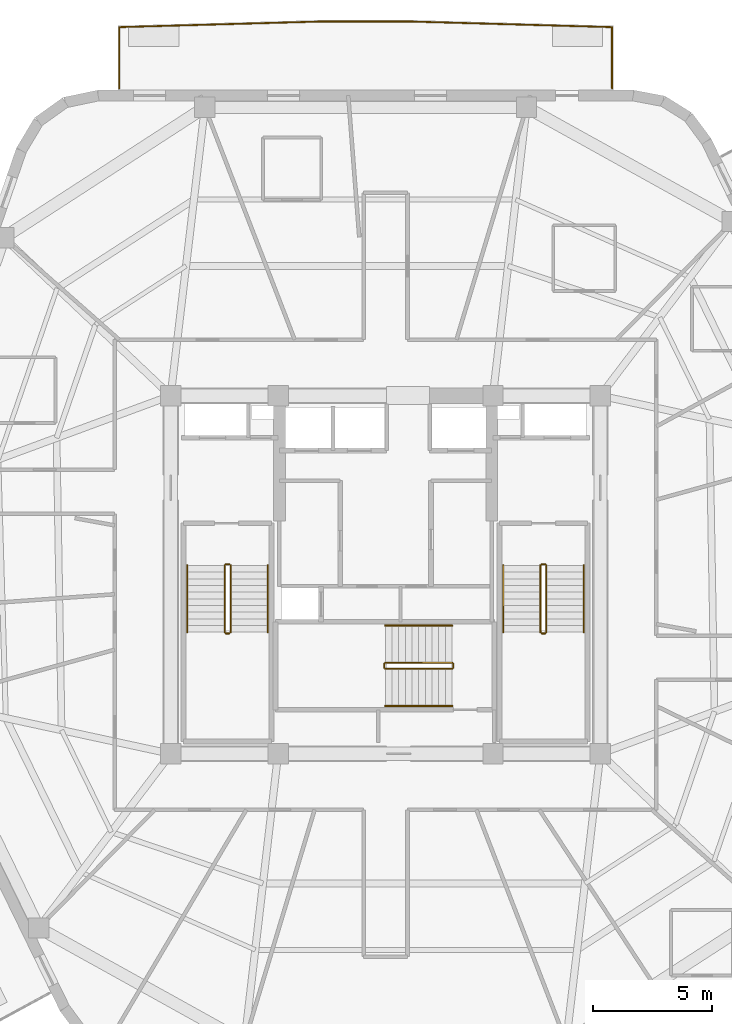
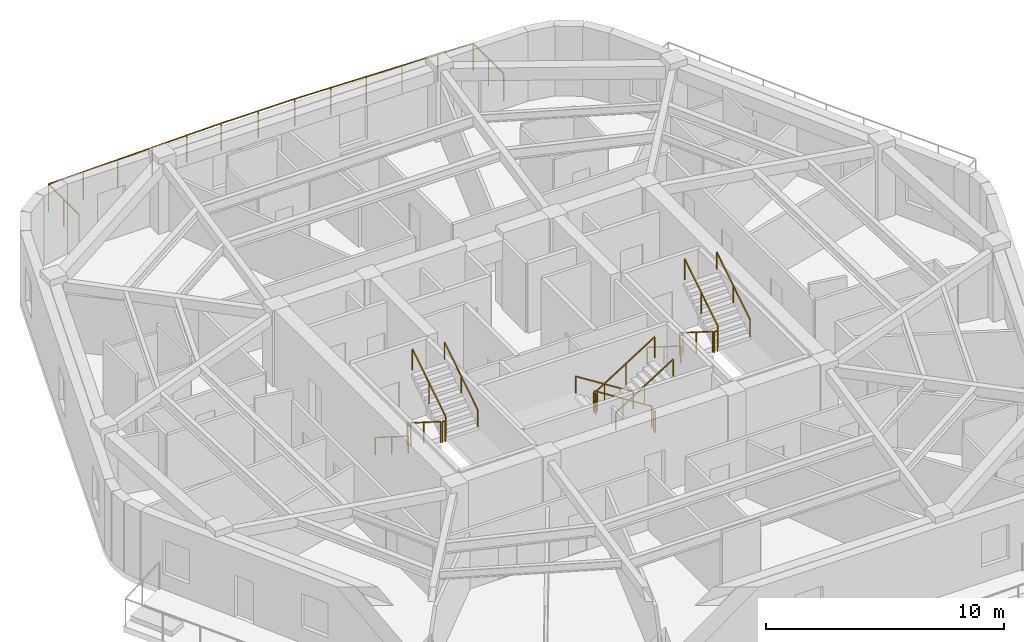
# One storey, part 8 of 9: 19 railings.
"""IFC4 building model written with IfcOpenShell, lengths in metres."""

import ifcopenshell
import ifcopenshell.guid

model = None  # the IFC model being written
_history = None  # IfcOwnerHistory: only IFC2X3 demands one
_inside = {}  # id of a spatial element -> (the spatial element, [elements in it])
_under = {}  # id of a project, library or spatial element -> (it, [spatial elements below it])
_declared = {}  # id of a project -> (the project, [libraries it declares])
_typed = {}  # id of a type object -> (the type object, [elements of that type])
_made_of = {}  # id of a material, layer set ... -> (it, [elements and type objects made of it])


def new_model(schema):
    """Start an empty IFC model of exactly this schema.

    Asked for "IFC4X3", IfcOpenShell would pick the latest addendum, in which some entities
    have other attributes; the version numbers below select the first issue.
    IFC2X3 requires an IfcOwnerHistory on every rooted entity: one is made here for all.
    """
    global model, _history
    if schema == "IFC4X3":
        model = ifcopenshell.file(schema_version=(4, 3, 0, 0))
    else:
        model = ifcopenshell.file(schema=schema)
    _inside.clear()
    _under.clear()
    _declared.clear()
    _typed.clear()
    _made_of.clear()
    _history = None
    if model.schema == "IFC2X3":
        org = make("IfcOrganization", Name="unknown")
        user = make(
            "IfcPersonAndOrganization",
            ThePerson=make("IfcPerson", FamilyName="unknown"),
            TheOrganization=org,
        )
        app = make(
            "IfcApplication",
            ApplicationDeveloper=org,
            Version="unknown",
            ApplicationFullName="unknown",
            ApplicationIdentifier="unknown",
        )
        _history = make(
            "IfcOwnerHistory",
            OwningUser=user,
            OwningApplication=app,
            ChangeAction="ADDED",
            CreationDate=0,
        )
    return model


def make(cls, **values):
    """One entity of the class cls with the attributes given. An attribute that is None is left unset."""
    return model.create_entity(
        cls, **{name: value for name, value in values.items() if value is not None}
    )


def rooted(cls, **values):
    """An entity with a GlobalId (a new one), such as an element, a storey or a relation."""
    return make(cls, GlobalId=ifcopenshell.guid.new(), OwnerHistory=_history, **values)


def si_unit(unit_type, name, prefix=None):
    """IfcSIUnit, for example si_unit("LENGTHUNIT", "METRE", prefix="MILLI")."""
    return make("IfcSIUnit", UnitType=unit_type, Prefix=prefix, Name=name)


def assignment(units):
    """IfcUnitAssignment: the units of a project."""
    return None if units is None else make("IfcUnitAssignment", Units=units)


def point(xyz):
    """IfcCartesianPoint."""
    return None if xyz is None else make("IfcCartesianPoint", Coordinates=xyz)


def direction(xyz):
    """IfcDirection."""
    return None if xyz is None else make("IfcDirection", DirectionRatios=xyz)


def frame(location, z_axis=None, x_axis=None):
    """IfcAxis2Placement3D, a coordinate frame: its origin and axes. An axis left out is left unset."""
    return make(
        "IfcAxis2Placement3D",
        Location=point(location),
        Axis=direction(z_axis),
        RefDirection=direction(x_axis),
    )


def frame_2d(location, x_axis=None):
    """IfcAxis2Placement2D, a coordinate frame in the plane: its origin and x axis."""
    return make(
        "IfcAxis2Placement2D", Location=point(location), RefDirection=direction(x_axis)
    )


def origin():
    """The frame at (0, 0, 0) with its axes left unset."""
    return frame((0.0, 0.0, 0.0))


def origin_2d():
    """The frame at (0, 0) in the plane with its x axis left unset."""
    return frame_2d((0.0, 0.0))


def place(relative_to, where):
    """IfcLocalPlacement: puts the frame where relative to a parent placement (None: the world)."""
    return make(
        "IfcLocalPlacement", PlacementRelTo=relative_to, RelativePlacement=where
    )


def context(
    kind, dimensions, precision=None, world=None, true_north=None, identifier=None
):
    """IfcGeometricRepresentationContext, for example the 3D "Model" context."""
    return make(
        "IfcGeometricRepresentationContext",
        ContextIdentifier=identifier,
        ContextType=kind,
        CoordinateSpaceDimension=dimensions,
        Precision=precision,
        WorldCoordinateSystem=world,
        TrueNorth=true_north,
    )


def subcontext(parent, identifier, kind, view, scale=None):
    """IfcGeometricRepresentationSubContext, for example "Body" below "Model"."""
    return make(
        "IfcGeometricRepresentationSubContext",
        ContextIdentifier=identifier,
        ContextType=kind,
        ParentContext=parent,
        TargetScale=scale,
        TargetView=view,
    )


def project(units=None, contexts=None):
    """IfcProject with its units and contexts."""
    return rooted(
        "IfcProject",
        Name="project",
        RepresentationContexts=contexts,
        UnitsInContext=assignment(units),
    )


def spatial(cls, under=None, at=None, **own):
    """A site, building, storey or space (cls), placed at a placement, below another one or the project."""
    s = rooted(cls, ObjectPlacement=at, **own)
    if under is not None:
        _under.setdefault(under.id(), (under, []))[1].append(s)
    return s


def profile(cls, at=None, kind="AREA", **sizes):
    """A parametric profile (cls). Its sizes go by their IFC names, for example OverallWidth=200.0."""
    return make(cls, ProfileType=kind, Position=at, **sizes)


def rectangle(**sizes):
    """IfcRectangleProfileDef."""
    return profile("IfcRectangleProfileDef", **sizes)


def extrude(swept, where, along, depth):
    """IfcExtrudedAreaSolid: the profile swept, set in the frame where, extruded along a direction by depth."""
    return make(
        "IfcExtrudedAreaSolid",
        SweptArea=swept,
        Position=where,
        ExtrudedDirection=direction(along),
        Depth=depth,
    )


def shape(context_of_items, identifier, shape_type, items):
    """IfcShapeRepresentation: the items that make up one representation, for example the "Body"."""
    return make(
        "IfcShapeRepresentation",
        ContextOfItems=context_of_items,
        RepresentationIdentifier=identifier,
        RepresentationType=shape_type,
        Items=items,
    )


def material(Name=None, Category=None):
    """IfcMaterial."""
    return make("IfcMaterial", Name=Name, Category=Category)


def layer(
    of_material, thickness, ventilated=None, Name=None, Category=None, Priority=None
):
    """IfcMaterialLayer: one layer of a wall or slab, of a material (None: an air gap)."""
    return make(
        "IfcMaterialLayer",
        Material=of_material,
        LayerThickness=thickness,
        IsVentilated=ventilated,
        Name=Name,
        Category=Category,
        Priority=Priority,
    )


def layer_set(layers, Name=None):
    """IfcMaterialLayerSet."""
    return make("IfcMaterialLayerSet", MaterialLayers=layers, LayerSetName=Name)


def made_of(thing, what):
    """Note that an element or type object is made of a material, layer set ...; save() writes the relation."""
    if what is not None:
        _made_of.setdefault(what.id(), (what, []))[1].append(thing)
    return thing


def type_object(cls, material=None, **own):
    """A type object (cls), such as IfcWallType, which elements share."""
    return made_of(rooted(cls, **own), material)


def element(
    cls,
    number,
    at=None,
    inside=None,
    cuts=None,
    type_object=None,
    material=None,
    context=None,
    identifier="Body",
    shape_type=None,
    held_by="IfcProductDefinitionShape",
    body=None,
    shapes=None,
    **own,
):
    """One element of the class cls, such as IfcWall. Its Tag is "e" and its number.

    at: its placement. inside: the storey or other place that contains it. cuts: it is an
    opening in that element (IfcRelVoidsElement). A single representation is given by context,
    identifier, shape_type and body (its items); several are given by shapes. held_by: the class
    of the entity that holds the representations. save() writes the other relations.
    """
    e = rooted(cls, Tag="e%d" % number, ObjectPlacement=at, **own)
    if body is not None:
        shapes = [shape(context, identifier, shape_type, body)]
    if shapes is not None:
        e.Representation = make(held_by, Representations=shapes)
    if inside is not None:
        _inside.setdefault(inside.id(), (inside, []))[1].append(e)
    if cuts is not None:
        rooted(
            "IfcRelVoidsElement", RelatingBuildingElement=cuts, RelatedOpeningElement=e
        )
    if type_object is not None:
        _typed.setdefault(type_object.id(), (type_object, []))[1].append(e)
    return made_of(e, material)


def aggregate(whole, parts):
    """IfcRelAggregates: a whole, such as a stair, and the parts it consists of."""
    return rooted("IfcRelAggregates", RelatingObject=whole, RelatedObjects=parts)


def save(model, path):
    """Write the relations noted so far, then the file.

    IfcRelAggregates (storeys below a building ...), IfcRelContainedInSpatialStructure (elements
    in a storey), IfcRelDefinesByType, IfcRelAssociatesMaterial and IfcRelDeclares: one each for
    every whole, place, type object, material and project.
    """
    for whole, parts in _under.values():
        aggregate(whole, parts)
    for where, things in _inside.values():
        rooted(
            "IfcRelContainedInSpatialStructure",
            RelatedElements=things,
            RelatingStructure=where,
        )
    for kind, things in _typed.values():
        rooted("IfcRelDefinesByType", RelatedObjects=things, RelatingType=kind)
    for what, things in _made_of.values():
        rooted("IfcRelAssociatesMaterial", RelatedObjects=things, RelatingMaterial=what)
    for by, libraries in _declared.values():
        rooted("IfcRelDeclares", RelatingContext=by, RelatedDefinitions=libraries)
    model.write(path)


model = new_model("IFC4")

# Units and contexts
model_context = context("Model", 3, precision=1e-05, world=origin(), true_north=direction((0.0, 1.0)))
body_context = subcontext(model_context, "Body", "Model", "MODEL_VIEW")
ifc_project = project(units=[si_unit("LENGTHUNIT", "METRE"), si_unit("AREAUNIT", "SQUARE_METRE"), si_unit("VOLUMEUNIT", "CUBIC_METRE"), si_unit("PLANEANGLEUNIT", "RADIAN"), si_unit("MASSUNIT", "GRAM", prefix="KILO")], contexts=[model_context])

# Site, building, storey
site_placement = place(None, origin())
site = spatial("IfcSite", under=ifc_project, at=site_placement, CompositionType="ELEMENT")
building_placement = place(site_placement, origin())
building = spatial("IfcBuilding", under=site, at=building_placement, Name="Kilnhurst Terrace Hotel", CompositionType="ELEMENT")
storey_placement = place(building_placement, frame((0.0, 0.0, 284.699951171875)))
storey = spatial("IfcBuildingStorey", under=building, at=storey_placement, Name="L71", CompositionType="ELEMENT", Elevation=284.699951171875)

# Railings
ifc_material_1 = material(Name="Laminated SentryGlas and Stainless Steel AISI 316L Balustrade", Category="steel")
ifc_layer_1 = layer(ifc_material_1, 0.070068359375, Name="Laminated SentryGlas and Stainless Steel AISI 316L Balustrade")
ifc_layer_set_1 = layer_set([ifc_layer_1], Name="Laminated SentryGlas and Stainless Steel AISI 316L Balustrade")
railing_type_1 = type_object("IfcRailingType", Name="RLG-BAL-1420", PredefinedType="BALUSTRADE", material=ifc_layer_set_1)
railing_1_placement = place(storey_placement, frame((-11.151611328125, 20.3798828125, 0.0)))
element("IfcRailing", 1, at=railing_1_placement, inside=storey, type_object=railing_type_1, Name="L71 Exterior Terrace Guardrail BAL-L1B.1", PredefinedType="BALUSTRADE", context=body_context, shape_type="SweptSolid", body=[
    extrude(rectangle(XDim=0.048095703125, YDim=0.048095703125, at=origin_2d()), frame((0.0, 0.0, 1.39599609375), z_axis=(0.0, 1.0, 0.0), x_axis=(-1.0, 0.0, 0.0)), (0.0, 0.0, 1.0), 2.561767578125),
    extrude(rectangle(XDim=0.048095703125, YDim=0.048095703125, at=origin_2d()), frame((0.0, 2.561767578125, 1.39599609375), z_axis=(0.999610218954, 0.027917918323, 0.0), x_axis=(-0.027917918323, 0.999610218954, 0.0)), (0.0, 0.0, 1.0), 8.53515625),
    extrude(rectangle(XDim=0.048095703125, YDim=0.048095703125, at=origin_2d()), frame((8.53173828125, 2.800048828125, 1.39599609375), z_axis=(1.0, 0.0, 0.0), x_axis=(0.0, 1.0, 0.0)), (0.0, 0.0, 1.0), 3.577880859375),
    extrude(rectangle(XDim=0.048095703125, YDim=0.048095703125, at=origin_2d()), frame((12.109619140625, 2.800048828125, 1.39599609375), z_axis=(0.999610218954, -0.027917918323, 0.0), x_axis=(0.027917918323, 0.999610218954, 0.0)), (0.0, 0.0, 1.0), 8.53515625),
    extrude(rectangle(XDim=0.048095703125, YDim=0.048095703125, at=origin_2d()), frame((20.641357421875, 2.561767578125, 1.39599609375), z_axis=(0.0, -1.0, 0.0), x_axis=(1.0, 0.0, 0.0)), (0.0, 0.0, 1.0), 2.561767578125),
    extrude(rectangle(XDim=0.0419921875, YDim=0.0419921875, at=origin_2d()), origin(), (0.0, 0.0, 1.0), 1.371826171875),
    extrude(rectangle(XDim=0.0419921875, YDim=0.0419921875, at=origin_2d()), frame((0.0, 1.28076171875, 0.0)), (0.0, 0.0, 1.0), 1.371826171875),
    extrude(rectangle(XDim=0.0419921875, YDim=0.0419921875, at=origin_2d()), frame((0.0, 2.561767578125, 0.0)), (0.0, 0.0, 1.0), 1.371826171875),
    extrude(rectangle(XDim=0.0419921875, YDim=0.0419921875, at=origin_2d()), frame((1.706298828125, 2.609375, 0.0)), (0.0, 0.0, 1.0), 1.371826171875),
    extrude(rectangle(XDim=0.0419921875, YDim=0.0419921875, at=origin_2d()), frame((3.41259765625, 2.656982421875, 0.0)), (0.0, 0.0, 1.0), 1.371826171875),
    extrude(rectangle(XDim=0.0419921875, YDim=0.0419921875, at=origin_2d()), frame((5.119140625, 2.704833984375, 0.0)), (0.0, 0.0, 1.0), 1.371826171875),
    extrude(rectangle(XDim=0.0419921875, YDim=0.0419921875, at=origin_2d()), frame((6.825439453125, 2.75244140625, 0.0)), (0.0, 0.0, 1.0), 1.371826171875),
    extrude(rectangle(XDim=0.0419921875, YDim=0.0419921875, at=origin_2d()), frame((8.53173828125, 2.800048828125, 0.0)), (0.0, 0.0, 1.0), 1.371826171875),
    extrude(rectangle(XDim=0.0419921875, YDim=0.0419921875, at=origin_2d()), frame((10.32080078125, 2.800048828125, 0.0)), (0.0, 0.0, 1.0), 1.371826171875),
    extrude(rectangle(XDim=0.0419921875, YDim=0.0419921875, at=origin_2d()), frame((12.109619140625, 2.800048828125, 0.0)), (0.0, 0.0, 1.0), 1.371826171875),
    extrude(rectangle(XDim=0.0419921875, YDim=0.0419921875, at=origin_2d()), frame((13.81591796875, 2.75244140625, 0.0)), (0.0, 0.0, 1.0), 1.371826171875),
    extrude(rectangle(XDim=0.0419921875, YDim=0.0419921875, at=origin_2d()), frame((15.522216796875, 2.704833984375, 0.0)), (0.0, 0.0, 1.0), 1.371826171875),
    extrude(rectangle(XDim=0.0419921875, YDim=0.0419921875, at=origin_2d()), frame((17.228759765625, 2.656982421875, 0.0)), (0.0, 0.0, 1.0), 1.371826171875),
    extrude(rectangle(XDim=0.0419921875, YDim=0.0419921875, at=origin_2d()), frame((18.93505859375, 2.609375, 0.0)), (0.0, 0.0, 1.0), 1.371826171875),
    extrude(rectangle(XDim=0.0419921875, YDim=0.0419921875, at=origin_2d()), frame((20.641357421875, 2.561767578125, 0.0)), (0.0, 0.0, 1.0), 1.371826171875),
    extrude(rectangle(XDim=0.0419921875, YDim=0.0419921875, at=origin_2d()), frame((20.641357421875, 1.28076171875, 0.0)), (0.0, 0.0, 1.0), 1.371826171875),
    extrude(rectangle(XDim=0.0419921875, YDim=0.0419921875, at=origin_2d()), frame((20.641357421875, 0.0, 0.0)), (0.0, 0.0, 1.0), 1.371826171875),
])
ifc_material_2 = material(Name="Powder-Coated Steel ASTM A500 Grade B", Category="steel")
ifc_layer_2 = layer(ifc_material_2, 0.050048828125, Name="Powder-Coated Steel ASTM A500 Grade B")
ifc_layer_set_2 = layer_set([ifc_layer_2], Name="Powder-Coated Steel ASTM A500 Grade B")
railing_type_2 = type_object("IfcRailingType", Name="RLG-ST-GRD-1100", PredefinedType="GUARDRAIL", material=ifc_layer_set_2)
railing_2_placement = place(storey_placement, frame((-6.739990234375, 0.389892578125, 0.17724609375)))
element("IfcRailing", 2, at=railing_2_placement, inside=storey, type_object=railing_type_2, Name="L71 ST-1 stair guard 1", PredefinedType="GUARDRAIL", context=body_context, shape_type="SweptSolid", body=[
    extrude(rectangle(XDim=0.048095703125, YDim=0.048095703125, at=origin_2d()), frame((0.0, 0.0, 1.076171875), z_axis=(0.0, -0.844887892834, 0.53494340686), x_axis=(1.0, 0.0, 0.0)), (0.0, 0.0, 1.0), 3.313720703125),
    extrude(rectangle(XDim=0.0419921875, YDim=0.0419921875, at=origin_2d()), origin(), (0.0, 0.0, 1.0), 1.052001953125),
    extrude(rectangle(XDim=0.0419921875, YDim=0.0419921875, at=origin_2d()), frame((0.0, -1.39990234375, 0.88623046875)), (0.0, 0.0, 1.0), 1.052001953125),
    extrude(rectangle(XDim=0.0419921875, YDim=0.0419921875, at=origin_2d()), frame((0.0, -2.7998046875, 1.772705078125)), (0.0, 0.0, 1.0), 1.052001953125),
])
railing_3_placement = place(storey_placement, frame((-6.68994140625, -2.4599609375, 1.949951171875)))
element("IfcRailing", 3, at=railing_3_placement, inside=storey, type_object=railing_type_2, Name="L71 ST-1 stair guard 2", PredefinedType="GUARDRAIL", context=body_context, shape_type="SweptSolid", body=[
    extrude(rectangle(XDim=0.048095703125, YDim=0.048095703125, at=origin_2d()), frame((0.0, 0.0, 1.076171875), z_axis=(1.0, 0.0, 0.0), x_axis=(0.0, 1.0, 0.0)), (0.0, 0.0, 1.0), 0.14990234375),
    extrude(rectangle(XDim=0.0419921875, YDim=0.0419921875, at=origin_2d()), origin(), (0.0, 0.0, 1.0), 1.052001953125),
    extrude(rectangle(XDim=0.0419921875, YDim=0.0419921875, at=origin_2d()), frame((0.14990234375, 0.0, 0.0)), (0.0, 0.0, 1.0), 1.052001953125),
])
railing_4_placement = place(storey_placement, frame((-6.489990234375, -2.409912109375, 2.12744140625)))
element("IfcRailing", 4, at=railing_4_placement, inside=storey, type_object=railing_type_2, Name="L71 ST-1 stair guard 3", PredefinedType="GUARDRAIL", context=body_context, shape_type="SweptSolid", body=[
    extrude(rectangle(XDim=0.048095703125, YDim=0.048095703125, at=origin_2d()), frame((0.0, 0.0, 1.076171875), z_axis=(0.0, 0.844887892834, 0.53494340686), x_axis=(-1.0, 0.0, 0.0)), (0.0, 0.0, 1.0), 3.313720703125),
    extrude(rectangle(XDim=0.0419921875, YDim=0.0419921875, at=origin_2d()), origin(), (0.0, 0.0, 1.0), 1.052001953125),
    extrude(rectangle(XDim=0.0419921875, YDim=0.0419921875, at=origin_2d()), frame((0.0, 1.39990234375, 0.88623046875)), (0.0, 0.0, 1.0), 1.052001953125),
    extrude(rectangle(XDim=0.0419921875, YDim=0.0419921875, at=origin_2d()), frame((0.0, 2.7998046875, 1.772705078125)), (0.0, 0.0, 1.0), 1.052001953125),
])
railing_5_placement = place(storey_placement, frame((-6.68994140625, 0.43994140625, 0.0)))
element("IfcRailing", 5, at=railing_5_placement, inside=storey, type_object=railing_type_2, Name="L71 ST-1 stair guard 4", PredefinedType="GUARDRAIL", context=body_context, shape_type="SweptSolid", body=[
    extrude(rectangle(XDim=0.048095703125, YDim=0.048095703125, at=origin_2d()), frame((0.0, 0.0, 1.076171875), z_axis=(1.0, 0.0, 0.0), x_axis=(0.0, 1.0, 0.0)), (0.0, 0.0, 1.0), 0.14990234375),
    extrude(rectangle(XDim=0.0419921875, YDim=0.0419921875, at=origin_2d()), origin(), (0.0, 0.0, 1.0), 1.052001953125),
    extrude(rectangle(XDim=0.0419921875, YDim=0.0419921875, at=origin_2d()), frame((0.14990234375, 0.0, 0.0)), (0.0, 0.0, 1.0), 1.052001953125),
])
railing_6_placement = place(storey_placement, frame((6.489990234375, 0.389892578125, 0.17724609375)))
element("IfcRailing", 6, at=railing_6_placement, inside=storey, type_object=railing_type_2, Name="L71 ST-2 stair guard 1", PredefinedType="GUARDRAIL", context=body_context, shape_type="SweptSolid", body=[
    extrude(rectangle(XDim=0.048095703125, YDim=0.048095703125, at=origin_2d()), frame((0.0, 0.0, 1.076171875), z_axis=(0.0, -0.844887892834, 0.53494340686), x_axis=(1.0, 0.0, 0.0)), (0.0, 0.0, 1.0), 3.313720703125),
    extrude(rectangle(XDim=0.0419921875, YDim=0.0419921875, at=origin_2d()), origin(), (0.0, 0.0, 1.0), 1.052001953125),
    extrude(rectangle(XDim=0.0419921875, YDim=0.0419921875, at=origin_2d()), frame((0.0, -1.39990234375, 0.88623046875)), (0.0, 0.0, 1.0), 1.052001953125),
    extrude(rectangle(XDim=0.0419921875, YDim=0.0419921875, at=origin_2d()), frame((0.0, -2.7998046875, 1.772705078125)), (0.0, 0.0, 1.0), 1.052001953125),
])
railing_7_placement = place(storey_placement, frame((6.5400390625, -2.4599609375, 1.949951171875)))
element("IfcRailing", 7, at=railing_7_placement, inside=storey, type_object=railing_type_2, Name="L71 ST-2 stair guard 2", PredefinedType="GUARDRAIL", context=body_context, shape_type="SweptSolid", body=[
    extrude(rectangle(XDim=0.048095703125, YDim=0.048095703125, at=origin_2d()), frame((0.0, 0.0, 1.076171875), z_axis=(1.0, 0.0, 0.0), x_axis=(0.0, 1.0, 0.0)), (0.0, 0.0, 1.0), 0.14990234375),
    extrude(rectangle(XDim=0.0419921875, YDim=0.0419921875, at=origin_2d()), origin(), (0.0, 0.0, 1.0), 1.052001953125),
    extrude(rectangle(XDim=0.0419921875, YDim=0.0419921875, at=origin_2d()), frame((0.14990234375, 0.0, 0.0)), (0.0, 0.0, 1.0), 1.052001953125),
])
railing_8_placement = place(storey_placement, frame((6.739990234375, -2.409912109375, 2.12744140625)))
element("IfcRailing", 8, at=railing_8_placement, inside=storey, type_object=railing_type_2, Name="L71 ST-2 stair guard 3", PredefinedType="GUARDRAIL", context=body_context, shape_type="SweptSolid", body=[
    extrude(rectangle(XDim=0.048095703125, YDim=0.048095703125, at=origin_2d()), frame((0.0, 0.0, 1.076171875), z_axis=(0.0, 0.844887892834, 0.53494340686), x_axis=(-1.0, 0.0, 0.0)), (0.0, 0.0, 1.0), 3.313720703125),
    extrude(rectangle(XDim=0.0419921875, YDim=0.0419921875, at=origin_2d()), origin(), (0.0, 0.0, 1.0), 1.052001953125),
    extrude(rectangle(XDim=0.0419921875, YDim=0.0419921875, at=origin_2d()), frame((0.0, 1.39990234375, 0.88623046875)), (0.0, 0.0, 1.0), 1.052001953125),
    extrude(rectangle(XDim=0.0419921875, YDim=0.0419921875, at=origin_2d()), frame((0.0, 2.7998046875, 1.772705078125)), (0.0, 0.0, 1.0), 1.052001953125),
])
railing_9_placement = place(storey_placement, frame((6.5400390625, 0.43994140625, 0.0)))
element("IfcRailing", 9, at=railing_9_placement, inside=storey, type_object=railing_type_2, Name="L71 ST-2 stair guard 4", PredefinedType="GUARDRAIL", context=body_context, shape_type="SweptSolid", body=[
    extrude(rectangle(XDim=0.048095703125, YDim=0.048095703125, at=origin_2d()), frame((0.0, 0.0, 1.076171875), z_axis=(1.0, 0.0, 0.0), x_axis=(0.0, 1.0, 0.0)), (0.0, 0.0, 1.0), 0.14990234375),
    extrude(rectangle(XDim=0.0419921875, YDim=0.0419921875, at=origin_2d()), origin(), (0.0, 0.0, 1.0), 1.052001953125),
    extrude(rectangle(XDim=0.0419921875, YDim=0.0419921875, at=origin_2d()), frame((0.14990234375, 0.0, 0.0)), (0.0, 0.0, 1.0), 1.052001953125),
])
railing_10_placement = place(storey_placement, frame((2.7900390625, -3.68994140625, 0.17724609375)))
element("IfcRailing", 10, at=railing_10_placement, inside=storey, type_object=railing_type_2, Name="L71 ST-3 stair guard 1", PredefinedType="GUARDRAIL", context=body_context, shape_type="SweptSolid", body=[
    extrude(rectangle(XDim=0.048095703125, YDim=0.048095703125, at=origin_2d()), frame((0.0, 0.0, 1.076171875), z_axis=(-0.844908973607, 0.0, 0.534910110503), x_axis=(0.0, -1.0, 0.0)), (0.0, 0.0, 1.0), 3.31396484375),
    extrude(rectangle(XDim=0.0419921875, YDim=0.0419921875, at=origin_2d()), origin(), (0.0, 0.0, 1.0), 1.052001953125),
    extrude(rectangle(XDim=0.0419921875, YDim=0.0419921875, at=origin_2d()), frame((-1.39990234375, 0.0, 0.88623046875)), (0.0, 0.0, 1.0), 1.052001953125),
    extrude(rectangle(XDim=0.0419921875, YDim=0.0419921875, at=origin_2d()), frame((-2.800048828125, 0.0, 1.772705078125)), (0.0, 0.0, 1.0), 1.052001953125),
])
railing_11_placement = place(storey_placement, frame((-0.06005859375, -3.739990234375, 1.949951171875)))
element("IfcRailing", 11, at=railing_11_placement, inside=storey, type_object=railing_type_2, Name="L71 ST-3 stair guard 2", PredefinedType="GUARDRAIL", context=body_context, shape_type="SweptSolid", body=[
    extrude(rectangle(XDim=0.048095703125, YDim=0.048095703125, at=origin_2d()), frame((0.0, 0.0, 1.076171875), z_axis=(0.0, -1.0, 0.0), x_axis=(1.0, 0.0, 0.0)), (0.0, 0.0, 1.0), 0.14990234375),
    extrude(rectangle(XDim=0.0419921875, YDim=0.0419921875, at=origin_2d()), origin(), (0.0, 0.0, 1.0), 1.052001953125),
    extrude(rectangle(XDim=0.0419921875, YDim=0.0419921875, at=origin_2d()), frame((0.0, -0.14990234375, 0.0)), (0.0, 0.0, 1.0), 1.052001953125),
])
railing_12_placement = place(storey_placement, frame((-0.010009765625, -3.93994140625, 2.12744140625)))
element("IfcRailing", 12, at=railing_12_placement, inside=storey, type_object=railing_type_2, Name="L71 ST-3 stair guard 3", PredefinedType="GUARDRAIL", context=body_context, shape_type="SweptSolid", body=[
    extrude(rectangle(XDim=0.048095703125, YDim=0.048095703125, at=origin_2d()), frame((0.0, 0.0, 1.076171875), z_axis=(0.844908973607, 0.0, 0.534910110503), x_axis=(0.0, 1.0, 0.0)), (0.0, 0.0, 1.0), 3.31396484375),
    extrude(rectangle(XDim=0.0419921875, YDim=0.0419921875, at=origin_2d()), origin(), (0.0, 0.0, 1.0), 1.052001953125),
    extrude(rectangle(XDim=0.0419921875, YDim=0.0419921875, at=origin_2d()), frame((1.39990234375, 0.0, 0.88623046875)), (0.0, 0.0, 1.0), 1.052001953125),
    extrude(rectangle(XDim=0.0419921875, YDim=0.0419921875, at=origin_2d()), frame((2.800048828125, 0.0, 1.772705078125)), (0.0, 0.0, 1.0), 1.052001953125),
])
railing_13_placement = place(storey_placement, frame((2.840087890625, -3.739990234375, 0.0)))
element("IfcRailing", 13, at=railing_13_placement, inside=storey, type_object=railing_type_2, Name="L71 ST-3 stair guard 4", PredefinedType="GUARDRAIL", context=body_context, shape_type="SweptSolid", body=[
    extrude(rectangle(XDim=0.048095703125, YDim=0.048095703125, at=origin_2d()), frame((0.0, 0.0, 1.076171875), z_axis=(0.0, -1.0, 0.0), x_axis=(1.0, 0.0, 0.0)), (0.0, 0.0, 1.0), 0.14990234375),
    extrude(rectangle(XDim=0.0419921875, YDim=0.0419921875, at=origin_2d()), origin(), (0.0, 0.0, 1.0), 1.052001953125),
    extrude(rectangle(XDim=0.0419921875, YDim=0.0419921875, at=origin_2d()), frame((0.0, -0.14990234375, 0.0)), (0.0, 0.0, 1.0), 1.052001953125),
])
ifc_material_3 = material(Name="Brushed Stainless Steel AISI 304", Category="steel")
ifc_layer_3 = layer(ifc_material_3, 0.048095703125, Name="Brushed Stainless Steel AISI 304")
ifc_layer_set_3 = layer_set([ifc_layer_3], Name="Brushed Stainless Steel AISI 304")
railing_type_3 = type_object("IfcRailingType", Name="RLG-ST-HRL-900", PredefinedType="HANDRAIL", material=ifc_layer_set_3)
railing_14_placement = place(storey_placement, frame((-8.300048828125, 0.389892578125, 0.17724609375)))
element("IfcRailing", 14, at=railing_14_placement, inside=storey, type_object=railing_type_3, Name="L71 ST-1 stair handrail 1", PredefinedType="HANDRAIL", context=body_context, shape_type="SweptSolid", body=[
    extrude(rectangle(XDim=0.048095703125, YDim=0.048095703125, at=origin_2d()), frame((0.0, 0.0, 0.8759765625), z_axis=(0.0, -0.844887892834, 0.53494340686), x_axis=(1.0, 0.0, 0.0)), (0.0, 0.0, 1.0), 3.313720703125),
    extrude(rectangle(XDim=0.0419921875, YDim=0.0419921875, at=origin_2d()), origin(), (0.0, 0.0, 1.0), 0.851806640625),
    extrude(rectangle(XDim=0.0419921875, YDim=0.0419921875, at=origin_2d()), frame((0.0, -1.39990234375, 0.88623046875)), (0.0, 0.0, 1.0), 0.851806640625),
    extrude(rectangle(XDim=0.0419921875, YDim=0.0419921875, at=origin_2d()), frame((0.0, -2.7998046875, 1.772705078125)), (0.0, 0.0, 1.0), 0.851806640625),
])
railing_15_placement = place(storey_placement, frame((-4.929931640625, -2.409912109375, 2.12744140625)))
element("IfcRailing", 15, at=railing_15_placement, inside=storey, type_object=railing_type_3, Name="L71 ST-1 stair handrail 2", PredefinedType="HANDRAIL", context=body_context, shape_type="SweptSolid", body=[
    extrude(rectangle(XDim=0.048095703125, YDim=0.048095703125, at=origin_2d()), frame((0.0, 0.0, 0.8759765625), z_axis=(0.0, 0.844887892834, 0.53494340686), x_axis=(-1.0, 0.0, 0.0)), (0.0, 0.0, 1.0), 3.313720703125),
    extrude(rectangle(XDim=0.0419921875, YDim=0.0419921875, at=origin_2d()), origin(), (0.0, 0.0, 1.0), 0.851806640625),
    extrude(rectangle(XDim=0.0419921875, YDim=0.0419921875, at=origin_2d()), frame((0.0, 1.39990234375, 0.88623046875)), (0.0, 0.0, 1.0), 0.851806640625),
    extrude(rectangle(XDim=0.0419921875, YDim=0.0419921875, at=origin_2d()), frame((0.0, 2.7998046875, 1.772705078125)), (0.0, 0.0, 1.0), 0.851806640625),
])
railing_16_placement = place(storey_placement, frame((4.929931640625, 0.389892578125, 0.17724609375)))
element("IfcRailing", 16, at=railing_16_placement, inside=storey, type_object=railing_type_3, Name="L71 ST-2 stair handrail 1", PredefinedType="HANDRAIL", context=body_context, shape_type="SweptSolid", body=[
    extrude(rectangle(XDim=0.048095703125, YDim=0.048095703125, at=origin_2d()), frame((0.0, 0.0, 0.8759765625), z_axis=(0.0, -0.844887892834, 0.53494340686), x_axis=(1.0, 0.0, 0.0)), (0.0, 0.0, 1.0), 3.313720703125),
    extrude(rectangle(XDim=0.0419921875, YDim=0.0419921875, at=origin_2d()), origin(), (0.0, 0.0, 1.0), 0.851806640625),
    extrude(rectangle(XDim=0.0419921875, YDim=0.0419921875, at=origin_2d()), frame((0.0, -1.39990234375, 0.88623046875)), (0.0, 0.0, 1.0), 0.851806640625),
    extrude(rectangle(XDim=0.0419921875, YDim=0.0419921875, at=origin_2d()), frame((0.0, -2.7998046875, 1.772705078125)), (0.0, 0.0, 1.0), 0.851806640625),
])
railing_17_placement = place(storey_placement, frame((8.300048828125, -2.409912109375, 2.12744140625)))
element("IfcRailing", 17, at=railing_17_placement, inside=storey, type_object=railing_type_3, Name="L71 ST-2 stair handrail 2", PredefinedType="HANDRAIL", context=body_context, shape_type="SweptSolid", body=[
    extrude(rectangle(XDim=0.048095703125, YDim=0.048095703125, at=origin_2d()), frame((0.0, 0.0, 0.8759765625), z_axis=(0.0, 0.844887892834, 0.53494340686), x_axis=(-1.0, 0.0, 0.0)), (0.0, 0.0, 1.0), 3.313720703125),
    extrude(rectangle(XDim=0.0419921875, YDim=0.0419921875, at=origin_2d()), origin(), (0.0, 0.0, 1.0), 0.851806640625),
    extrude(rectangle(XDim=0.0419921875, YDim=0.0419921875, at=origin_2d()), frame((0.0, 1.39990234375, 0.88623046875)), (0.0, 0.0, 1.0), 0.851806640625),
    extrude(rectangle(XDim=0.0419921875, YDim=0.0419921875, at=origin_2d()), frame((0.0, 2.7998046875, 1.772705078125)), (0.0, 0.0, 1.0), 0.851806640625),
])
railing_18_placement = place(storey_placement, frame((2.7900390625, -2.1298828125, 0.17724609375)))
element("IfcRailing", 18, at=railing_18_placement, inside=storey, type_object=railing_type_3, Name="L71 ST-3 stair handrail 1", PredefinedType="HANDRAIL", context=body_context, shape_type="SweptSolid", body=[
    extrude(rectangle(XDim=0.048095703125, YDim=0.048095703125, at=origin_2d()), frame((0.0, 0.0, 0.8759765625), z_axis=(-0.844908973607, 0.0, 0.534910110503), x_axis=(0.0, -1.0, 0.0)), (0.0, 0.0, 1.0), 3.31396484375),
    extrude(rectangle(XDim=0.0419921875, YDim=0.0419921875, at=origin_2d()), origin(), (0.0, 0.0, 1.0), 0.851806640625),
    extrude(rectangle(XDim=0.0419921875, YDim=0.0419921875, at=origin_2d()), frame((-1.39990234375, 0.0, 0.88623046875)), (0.0, 0.0, 1.0), 0.851806640625),
    extrude(rectangle(XDim=0.0419921875, YDim=0.0419921875, at=origin_2d()), frame((-2.800048828125, 0.0, 1.772705078125)), (0.0, 0.0, 1.0), 0.851806640625),
])
railing_19_placement = place(storey_placement, frame((-0.010009765625, -5.5, 2.12744140625)))
element("IfcRailing", 19, at=railing_19_placement, inside=storey, type_object=railing_type_3, Name="L71 ST-3 stair handrail 2", PredefinedType="HANDRAIL", context=body_context, shape_type="SweptSolid", body=[
    extrude(rectangle(XDim=0.048095703125, YDim=0.048095703125, at=origin_2d()), frame((0.0, 0.0, 0.8759765625), z_axis=(0.844908973607, 0.0, 0.534910110503), x_axis=(0.0, 1.0, 0.0)), (0.0, 0.0, 1.0), 3.31396484375),
    extrude(rectangle(XDim=0.0419921875, YDim=0.0419921875, at=origin_2d()), origin(), (0.0, 0.0, 1.0), 0.851806640625),
    extrude(rectangle(XDim=0.0419921875, YDim=0.0419921875, at=origin_2d()), frame((1.39990234375, 0.0, 0.88623046875)), (0.0, 0.0, 1.0), 0.851806640625),
    extrude(rectangle(XDim=0.0419921875, YDim=0.0419921875, at=origin_2d()), frame((2.800048828125, 0.0, 1.772705078125)), (0.0, 0.0, 1.0), 0.851806640625),
])

save(model, "model.ifc")
